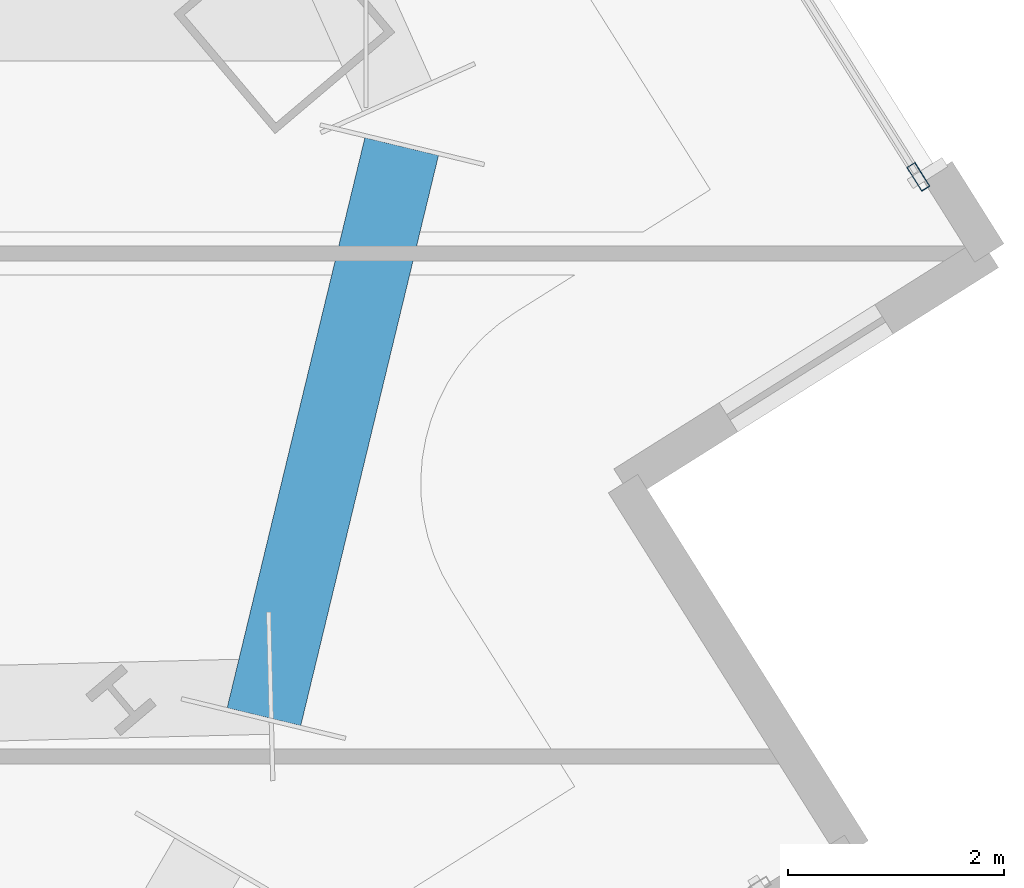
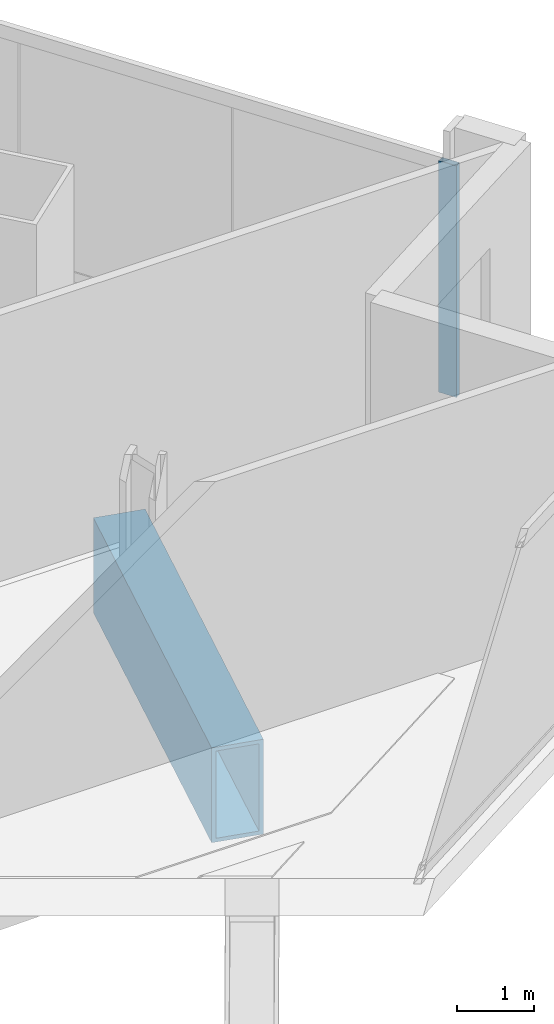
# One storey, part 8 of 29: 1 beam, 1 member, 1 element without a shape of its own.
"""IFC4 building model written with IfcOpenShell, lengths in metres."""

from ifc_helpers import new_model, si_unit, direction, frame, origin, origin_2d, place, context, subcontext, project, spatial, hollow_rectangle, extrude, material, material_profile, profile_set, type_object, element, aggregate, save


model = new_model("IFC4")

# Units and contexts
model_context = context("Model", 3, precision=1e-05, world=origin(), true_north=direction((0.0, 1.0)))
body_context = subcontext(model_context, "Body", "Model", "MODEL_VIEW")
ifc_project = project(units=[si_unit("LENGTHUNIT", "METRE"), si_unit("AREAUNIT", "SQUARE_METRE"), si_unit("VOLUMEUNIT", "CUBIC_METRE"), si_unit("PLANEANGLEUNIT", "RADIAN"), si_unit("MASSUNIT", "GRAM", prefix="KILO")], contexts=[model_context])

# Site, building, storey
site_placement = place(None, origin())
site = spatial("IfcSite", under=ifc_project, at=site_placement, CompositionType="ELEMENT")
building_placement = place(site_placement, origin())
building = spatial("IfcBuilding", under=site, at=building_placement, Name="Haldenkirk Collegiate Tower", CompositionType="ELEMENT")
storey_placement = place(building_placement, frame((0.0, 0.0, 136.199951171875)))
storey = spatial("IfcBuildingStorey", under=building, at=storey_placement, Name="L33", CompositionType="ELEMENT", Elevation=136.199951171875)

# Beam
ifc_material_1 = material(Name="Steel ASTM A572 Grade 50", Category="steel")
ifc_material_profile_1 = material_profile(ifc_material_1, hollow_rectangle(XDim=0.699951171875, YDim=1.5, WallThickness=0.06005859375, at=origin_2d()), Name="BOX1500X700X60")
ifc_profile_set_1 = profile_set([ifc_material_profile_1], Name="Steel ASTM A572 Grade 50")
beam_type = type_object("IfcBeamType", Name="BM-TRANSFER-BOX1500X700X60", PredefinedType="BEAM", material=ifc_profile_set_1)
beam_placement = place(storey_placement, frame((61.277587890625, 18.21826171875, -1.14990234375), z_axis=(0.234815122269, 0.972040049768, 0.0), x_axis=(-0.972040049768, 0.234815122269, 0.0)))
element("IfcBeam", 1, at=beam_placement, inside=storey, type_object=beam_type, Name="L33 sky-lobby perimeter transfer girder 05", PredefinedType="BEAM", context=body_context, shape_type="SweptSolid", body=[
    extrude(hollow_rectangle(XDim=0.699951171875, YDim=1.5, WallThickness=0.06005859375, at=origin_2d()), origin(), (0.0, 0.0, 1.0), 5.422119140625),
])

# Curtain wall, member
ifc_material_2 = material(Name="Anodised architectural bronze aluminium", Category="aluminium")
curtain_wall_type = type_object("IfcCurtainWallType", Name="CW-SYS4-SKYGARDEN", PredefinedType="USERDEFINED", material=ifc_material_2)
curtain_wall_placement = place(storey_placement, origin())
curtain_wall = element("IfcCurtainWall", 2, at=curtain_wall_placement, inside=storey, type_object=curtain_wall_type, Name="L33 Sky-garden tall bronze curtain wall", ObjectType="UNITISED CURTAIN WALL", PredefinedType="USERDEFINED")
ifc_material_profile_2 = material_profile(ifc_material_2, hollow_rectangle(XDim=0.090087890625, YDim=0.260009765625, WallThickness=0.0048828125, at=origin_2d()), Name="CW-MUL-04")
ifc_profile_set_2 = profile_set([ifc_material_profile_2], Name="Anodised architectural bronze aluminium")
member_type = type_object("IfcMemberType", Name="CW-MUL-04", PredefinedType="MULLION", material=ifc_profile_set_2)
member_placement = place(storey_placement, frame((67.32568359375, 23.20849609375, 0.0), z_axis=(0.0, 0.0, 1.0), x_axis=(0.846192846973, 0.532876782879, 0.0)))
member = element("IfcMember", 3, at=member_placement, type_object=member_type, Name="CW-04 mullion 5", PredefinedType="MULLION", context=body_context, shape_type="SweptSolid", body=[
    extrude(hollow_rectangle(XDim=0.090087890625, YDim=0.260009765625, WallThickness=0.0048828125, at=origin_2d()), origin(), (0.0, 0.0, 1.0), 3.6611328125),
])
aggregate(curtain_wall, [member])

save(model, "model.ifc")
